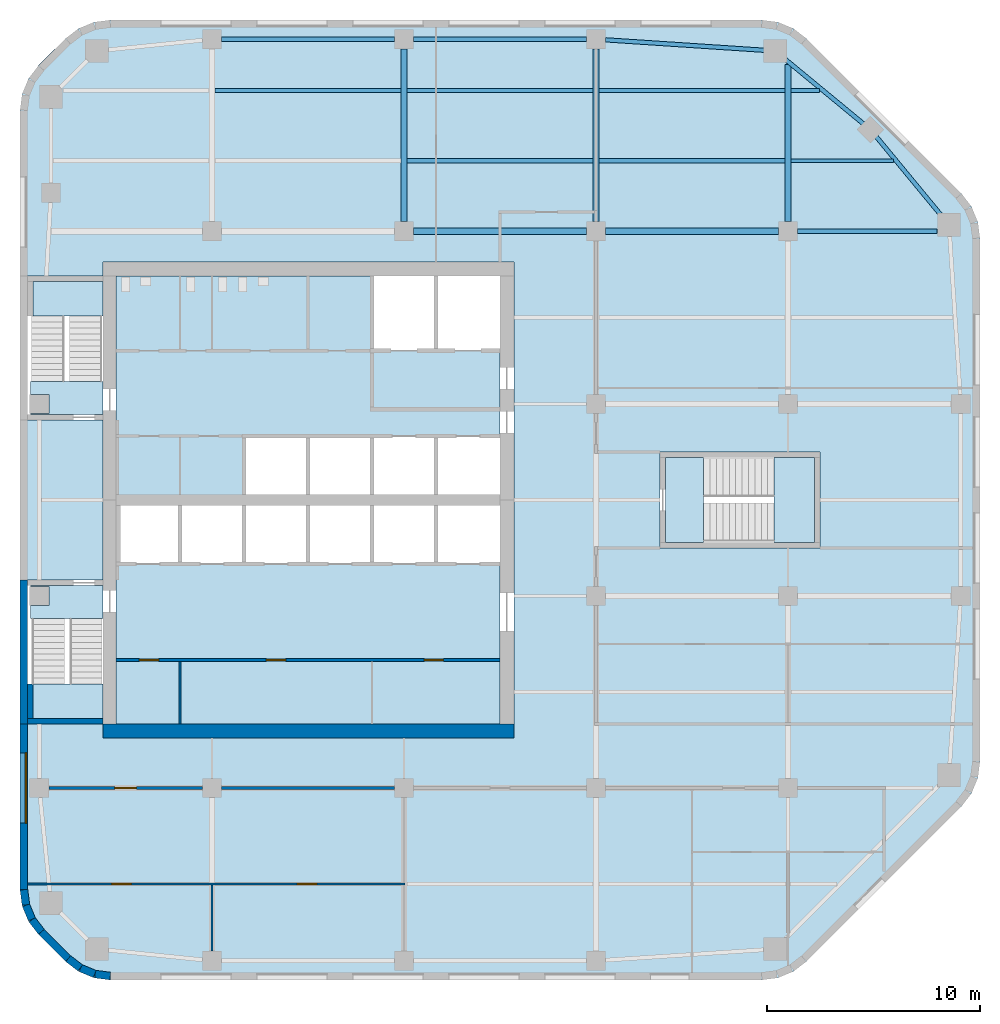
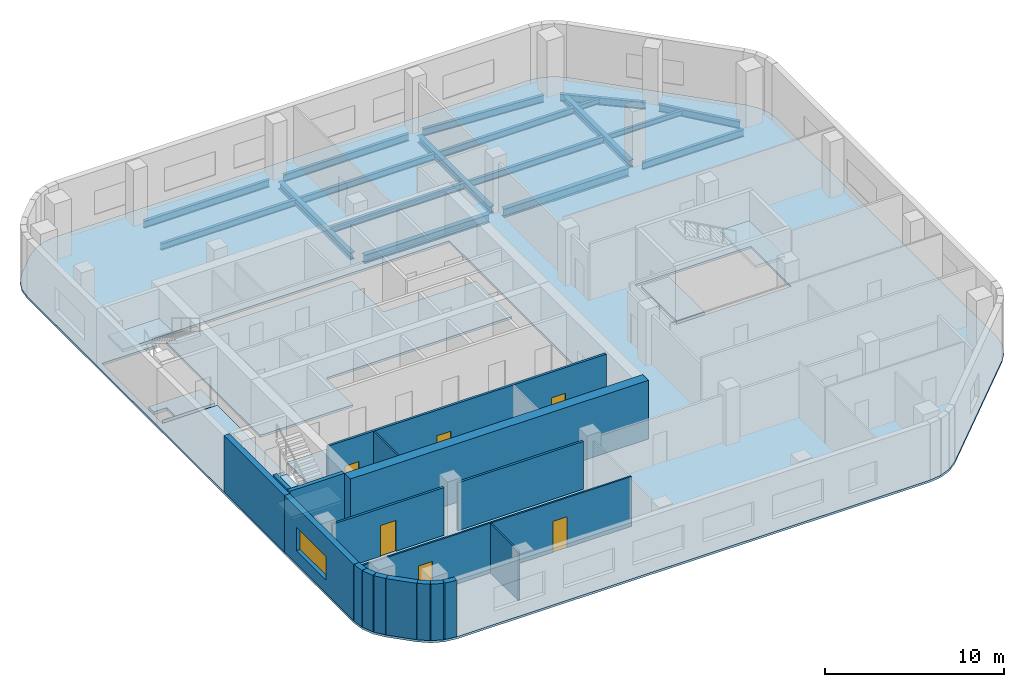
# One storey, part 2 of 7: 18 beams, 18 walls, 9 slabs, 6 doors, 1 window, 7 openings, 3 elements without a shape of their own.
"""IFC4 building model written with IfcOpenShell, lengths in metres."""

from ifc_helpers import new_model, si_unit, direction, frame, frame_2d, origin, origin_2d, place, context, subcontext, project, spatial, polyline, rectangle, i_section, outline, extrude, material, layer, layer_set, material_profile, profile_set, type_object, element, fill, aggregate, save


model = new_model("IFC4")

# Units and contexts
model_context = context("Model", 3, precision=1e-05, world=origin(), true_north=direction((0.0, 1.0)))
body_context = subcontext(model_context, "Body", "Model", "MODEL_VIEW")
ifc_project = project(units=[si_unit("LENGTHUNIT", "METRE"), si_unit("AREAUNIT", "SQUARE_METRE"), si_unit("VOLUMEUNIT", "CUBIC_METRE"), si_unit("PLANEANGLEUNIT", "RADIAN"), si_unit("MASSUNIT", "GRAM", prefix="KILO")], contexts=[model_context])

# Site, building, storey
site_placement = place(None, origin())
site = spatial("IfcSite", under=ifc_project, at=site_placement, CompositionType="ELEMENT")
building_placement = place(site_placement, origin())
building = spatial("IfcBuilding", under=site, at=building_placement, Name="Cinnabar Reach Civic Tower", CompositionType="ELEMENT")
storey_placement = place(building_placement, frame((0.0, 0.0, 169.0)))
storey = spatial("IfcBuildingStorey", under=building, at=storey_placement, Name="L40", CompositionType="ELEMENT", Elevation=169.0)

# Beams
ifc_material_1 = material(Name="Steel Q355B", Category="steel")
ifc_material_profile_1 = material_profile(ifc_material_1, i_section(OverallWidth=0.3, OverallDepth=0.488, WebThickness=0.011, FlangeThickness=0.018, FilletRadius=0.016, at=origin_2d()), Name="HM488x300x11x18")
ifc_profile_set_1 = profile_set([ifc_material_profile_1], Name="Steel Q355B")
beam_type_1 = type_object("IfcBeamType", Name="HM488x300x11x18 beam R 180", PredefinedType="BEAM", material=ifc_profile_set_1)
for number, where, z_axis, x_axis, name in (
    (1, (18.0, 44.552, -0.394), (0.0, 1.0, 0.0), (-1.0, 0.0, 0.0), "Girder T1 L40 6"),
    (2, (27.0, 44.552, -0.394), (0.0, 1.0, 0.0), (-1.0, 0.0, 0.0), "Girder T1 L40 11"),
):
    element("IfcBeam", number, at=place(storey_placement, frame(where, z_axis=z_axis, x_axis=x_axis)), inside=storey, type_object=beam_type_1, Name=name, PredefinedType="BEAM", context=body_context, shape_type="SweptSolid", body=[
        extrude(i_section(OverallWidth=0.3, OverallDepth=0.488, WebThickness=0.011, FlangeThickness=0.018, FilletRadius=0.016, at=origin_2d()), origin(), (0.0, 0.0, 1.0), 8.096),
    ])
beam_1_placement = place(storey_placement, frame((36.0, 44.552, -0.394), z_axis=(0.0, 1.0, 0.0), x_axis=(-1.0, 0.0, 0.0)))
element("IfcBeam", 3, at=beam_1_placement, inside=storey, type_object=beam_type_1, Name="Girder T1 L40 17", PredefinedType="BEAM", context=body_context, shape_type="SweptSolid", body=[
    extrude(i_section(OverallWidth=0.3, OverallDepth=0.488, WebThickness=0.011, FlangeThickness=0.018, FilletRadius=0.016, at=origin_2d()), origin(), (0.0, 0.0, 1.0), 7.3662),
])
ifc_material_profile_2 = material_profile(ifc_material_1, i_section(OverallWidth=0.3, OverallDepth=0.588, WebThickness=0.012, FlangeThickness=0.02, FilletRadius=0.016, at=origin_2d()), Name="HM588x300x12x20")
ifc_profile_set_2 = profile_set([ifc_material_profile_2], Name="Steel Q355B")
beam_type_2 = type_object("IfcBeamType", Name="HM588x300x12x20 beam R 180", PredefinedType="BEAM", material=ifc_profile_set_2)
for number, where, z_axis, x_axis, name in (
    (4, (18.452, 44.1, -0.444), (1.0, 0.0, 0.0), (0.0, 1.0, 0.0), "Girder T1 L40 14"),
    (5, (27.452, 44.1, -0.444), (1.0, 0.0, 0.0), (0.0, 1.0, 0.0), "Girder T1 L40 15"),
):
    element("IfcBeam", number, at=place(storey_placement, frame(where, z_axis=z_axis, x_axis=x_axis)), inside=storey, type_object=beam_type_2, Name=name, PredefinedType="BEAM", context=body_context, shape_type="SweptSolid", body=[
        extrude(i_section(OverallWidth=0.3, OverallDepth=0.588, WebThickness=0.012, FlangeThickness=0.02, FilletRadius=0.016, at=origin_2d()), origin(), (0.0, 0.0, 1.0), 8.096),
    ])
ifc_material_profile_3 = material_profile(ifc_material_1, i_section(OverallWidth=0.175, OverallDepth=0.35, WebThickness=0.007, FlangeThickness=0.011, FilletRadius=0.013, at=origin_2d()), Name="HN350x175x7x11")
ifc_profile_set_3 = profile_set([ifc_material_profile_3], Name="Steel Q355B")
beam_type_3 = type_object("IfcBeamType", Name="HN350x175x7x11 beam R 180", PredefinedType="BEAM", material=ifc_profile_set_3)
beam_2_placement = place(storey_placement, frame((36.152, 47.4, -0.325), z_axis=(1.0, 0.0, 0.0), x_axis=(0.0, 1.0, 0.0)))
element("IfcBeam", 6, at=beam_2_placement, inside=storey, type_object=beam_type_3, Name="Secondary beam T1 L40 20", PredefinedType="BEAM", context=body_context, shape_type="SweptSolid", body=[
    extrude(i_section(OverallWidth=0.175, OverallDepth=0.35, WebThickness=0.007, FlangeThickness=0.011, FilletRadius=0.013, at=origin_2d()), origin(), (0.0, 0.0, 1.0), 4.7866),
])
beam_3_placement = place(storey_placement, frame((36.152, 50.7, -0.325), z_axis=(1.0, 0.0, 0.0), x_axis=(0.0, 1.0, 0.0)))
element("IfcBeam", 7, at=beam_3_placement, inside=storey, type_object=beam_type_3, Name="Secondary beam T1 L40 25", PredefinedType="BEAM", context=body_context, shape_type="SweptSolid", body=[
    extrude(i_section(OverallWidth=0.175, OverallDepth=0.35, WebThickness=0.007, FlangeThickness=0.011, FilletRadius=0.013, at=origin_2d()), origin(), (0.0, 0.0, 1.0), 1.3249),
])
ifc_material_profile_4 = material_profile(ifc_material_1, i_section(OverallWidth=0.2, OverallDepth=0.45, WebThickness=0.009, FlangeThickness=0.014, FilletRadius=0.016, at=origin_2d()), Name="HN450x200x9x14")
ifc_profile_set_4 = profile_set([ifc_material_profile_4], Name="Steel Q355B")
beam_type_4 = type_object("IfcBeamType", Name="HN450x200x9x14 beam R 180", PredefinedType="BEAM", material=ifc_profile_set_4)
for number, where, z_axis, x_axis, name in (
    (8, (18.152, 47.4, -0.375), (1.0, 0.0, 0.0), (0.0, 1.0, 0.0), "Secondary beam T1 L40 18"),
    (9, (27.152, 47.4, -0.375), (1.0, 0.0, 0.0), (0.0, 1.0, 0.0), "Secondary beam T1 L40 19"),
    (10, (9.152, 50.7, -0.375), (1.0, 0.0, 0.0), (0.0, 1.0, 0.0), "Secondary beam T1 L40 22"),
    (11, (18.152, 50.7, -0.375), (1.0, 0.0, 0.0), (0.0, 1.0, 0.0), "Secondary beam T1 L40 23"),
    (12, (27.152, 50.7, -0.375), (1.0, 0.0, 0.0), (0.0, 1.0, 0.0), "Secondary beam T1 L40 24"),
):
    element("IfcBeam", number, at=place(storey_placement, frame(where, z_axis=z_axis, x_axis=x_axis)), inside=storey, type_object=beam_type_4, Name=name, PredefinedType="BEAM", context=body_context, shape_type="SweptSolid", body=[
        extrude(i_section(OverallWidth=0.2, OverallDepth=0.45, WebThickness=0.009, FlangeThickness=0.014, FilletRadius=0.016, at=origin_2d()), origin(), (0.0, 0.0, 1.0), 8.696),
    ])
ifc_material_profile_5 = material_profile(ifc_material_1, i_section(OverallWidth=0.2, OverallDepth=0.5, WebThickness=0.01, FlangeThickness=0.016, FilletRadius=0.016, at=origin_2d()), Name="HN500x200x10x16")
ifc_profile_set_5 = profile_set([ifc_material_profile_5], Name="Steel Q355B")
beam_type_5 = type_object("IfcBeamType", Name="HN500x200x10x16 beam R 180", PredefinedType="BEAM", material=ifc_profile_set_5)
for number, where, z_axis, x_axis, name in (
    (13, (43.1906, 44.8301, -0.4), (-0.63630880182, 0.771434448755, 0.0), (-0.771434448755, -0.63630880182, 0.0), "Edge beam T1 L40 9"),
    (14, (39.5598, 49.1142, -0.4), (-0.771434448755, 0.63630880182, 0.0), (-0.63630880182, -0.771434448755, 0.0), "Edge beam T1 L40 10"),
):
    element("IfcBeam", number, at=place(storey_placement, frame(where, z_axis=z_axis, x_axis=x_axis)), inside=storey, type_object=beam_type_5, Name=name, PredefinedType="BEAM", context=body_context, shape_type="SweptSolid", body=[
        extrude(i_section(OverallWidth=0.2, OverallDepth=0.5, WebThickness=0.01, FlangeThickness=0.016, FilletRadius=0.016, at=origin_2d()), origin(), (0.0, 0.0, 1.0), 4.8348),
    ])
beam_4_placement = place(storey_placement, frame((34.9661, 52.5754, -0.4), z_axis=(-0.99783894477, 0.065707231721, 0.0), x_axis=(-0.065707231721, -0.99783894477, 0.0)))
element("IfcBeam", 15, at=beam_4_placement, inside=storey, type_object=beam_type_5, Name="Edge beam T1 L40 11", PredefinedType="BEAM", context=body_context, shape_type="SweptSolid", body=[
    extrude(i_section(OverallWidth=0.2, OverallDepth=0.5, WebThickness=0.01, FlangeThickness=0.016, FilletRadius=0.016, at=origin_2d()), origin(), (0.0, 0.0, 1.0), 7.5304),
])
for number, where, z_axis, x_axis, name in (
    (16, (26.548, 53.1, -0.4), (-1.0, 0.0, 0.0), (0.0, -1.0, 0.0), "Edge beam T1 L40 12"),
    (17, (17.548, 53.1, -0.4), (-1.0, 0.0, 0.0), (0.0, -1.0, 0.0), "Edge beam T1 L40 13"),
):
    element("IfcBeam", number, at=place(storey_placement, frame(where, z_axis=z_axis, x_axis=x_axis)), inside=storey, type_object=beam_type_5, Name=name, PredefinedType="BEAM", context=body_context, shape_type="SweptSolid", body=[
        extrude(i_section(OverallWidth=0.2, OverallDepth=0.5, WebThickness=0.01, FlangeThickness=0.016, FilletRadius=0.016, at=origin_2d()), origin(), (0.0, 0.0, 1.0), 8.096),
    ])
beam_5_placement = place(storey_placement, frame((36.452, 44.1, -0.4), z_axis=(1.0, 0.0, 0.0), x_axis=(0.0, 1.0, 0.0)))
element("IfcBeam", 18, at=beam_5_placement, inside=storey, type_object=beam_type_5, Name="Girder T1 L40 16", PredefinedType="BEAM", context=body_context, shape_type="SweptSolid", body=[
    extrude(i_section(OverallWidth=0.2, OverallDepth=0.5, WebThickness=0.01, FlangeThickness=0.016, FilletRadius=0.016, at=origin_2d()), origin(), (0.0, 0.0, 1.0), 6.5429),
])

# Slab
ifc_material_2 = material(Name="Concrete C40", Category="concrete")
ifc_layer_1 = layer(ifc_material_2, 0.15)
ifc_layer_set_1 = layer_set([ifc_layer_1], Name="Composite floor slab 150 REI 150")
slab_type_1 = type_object("IfcSlabType", Name="Composite floor slab 150 REI 150", PredefinedType="FLOOR", material=ifc_layer_set_1)
slab_1_placement = place(storey_placement, frame((0.0, 0.0, -0.15)))
element("IfcSlab", 19, at=slab_1_placement, inside=storey, type_object=slab_type_1, Name="Composite floor slab 150 T1 L40", PredefinedType="FLOOR", context=body_context, shape_type="SweptSolid", body=[
    extrude(outline(polyline([(0.8787, 11.1213), (0.4019, 11.7426), (0.1022, 12.4662), (0.0, 13.2426), (0.0, 49.7574), (0.1022, 50.5338), (0.4019, 51.2574), (0.8787, 51.8787), (2.1213, 53.1213), (2.7426, 53.5981), (3.4662, 53.8978), (4.2426, 54.0), (34.7574, 54.0), (35.5338, 53.8978), (36.2574, 53.5981), (36.8787, 53.1213), (44.1213, 45.8787), (44.5981, 45.2574), (44.8978, 44.5338), (45.0, 43.7574), (45.0, 19.2426), (44.8978, 18.4662), (44.5981, 17.7426), (44.1213, 17.1213), (36.8787, 9.8787), (36.2574, 9.4019), (35.5338, 9.1022), (34.7574, 9.0), (4.2426, 9.0), (3.4662, 9.1022), (2.7426, 9.4019), (2.1213, 9.8787), (0.8787, 11.1213)]), holes=[polyline([(0.36, 21.0), (3.9, 21.0), (3.9, 20.35), (23.15, 20.35), (23.15, 42.65), (3.9, 42.65), (3.9, 42.0), (0.36, 42.0), (0.36, 35.25), (3.9, 35.25), (3.9, 27.75), (0.36, 27.75), (0.36, 21.0)]), polyline([(30.0, 33.75), (30.0, 29.25), (37.5, 29.25), (37.5, 33.75), (30.0, 33.75)])]), origin(), (0.0, 0.0, 1.0), 0.15),
])

# Stair, slabs
ifc_material_3 = material(Name="Concrete C40/50", Category="concrete")
stair_type = type_object("IfcStairType", Name="T1 Exit stair, half-turn", PredefinedType="HALF_TURN_STAIR", material=ifc_material_3)
stair_1_placement = place(storey_placement, origin())
stair_1 = element("IfcStair", 20, at=stair_1_placement, inside=storey, type_object=stair_type, Name="Stair T1-S1", PredefinedType="HALF_TURN_STAIR")
ifc_layer_2 = layer(ifc_material_3, 0.2)
ifc_layer_set_2 = layer_set([ifc_layer_2], Name="T1 Stair landing 200, Concrete C40/50")
slab_type_2 = type_object("IfcSlabType", Name="T1 Stair landing 200, Concrete C40/50", PredefinedType="LANDING", material=ifc_layer_set_2)
slab_2_placement = place(storey_placement, frame((0.0, 0.0, -0.2)))
slab_2 = element("IfcSlab", 21, at=slab_2_placement, type_object=slab_type_2, Name="T1-S1 landing 1", PredefinedType="LANDING", context=body_context, shape_type="SweptSolid", body=[
    extrude(outline(polyline([(0.5, 27.5), (3.9, 27.5), (3.9, 25.95), (0.5, 25.95), (0.5, 26.55), (1.35, 26.55), (1.35, 27.45), (0.5, 27.45), (0.5, 27.5)])), origin(), (0.0, 0.0, 1.0), 0.2),
])
slab_3_placement = place(storey_placement, frame((0.0, 0.0, 1.8)))
slab_3 = element("IfcSlab", 22, at=slab_3_placement, type_object=slab_type_2, Name="T1-S1 landing 2", PredefinedType="LANDING", context=body_context, shape_type="SweptSolid", body=[
    extrude(outline(polyline([(0.6, 21.25), (0.6, 22.87), (3.9, 22.87), (3.9, 21.25), (0.6, 21.25)])), origin(), (0.0, 0.0, 1.0), 0.2),
])
aggregate(stair_1, [slab_2, slab_3])

stair_2_placement = place(storey_placement, origin())
stair_2 = element("IfcStair", 23, at=stair_2_placement, inside=storey, type_object=stair_type, Name="Stair T1-S2", PredefinedType="HALF_TURN_STAIR")
slab_4_placement = place(storey_placement, frame((0.0, 0.0, -0.2)))
slab_4 = element("IfcSlab", 24, at=slab_4_placement, type_object=slab_type_2, Name="T1-S2 landing 1", PredefinedType="LANDING", context=body_context, shape_type="SweptSolid", body=[
    extrude(outline(polyline([(0.5, 37.05), (3.9, 37.05), (3.9, 35.5), (0.5, 35.5), (0.5, 35.55), (1.35, 35.55), (1.35, 36.45), (0.5, 36.45), (0.5, 37.05)])), origin(), (0.0, 0.0, 1.0), 0.2),
])
slab_5_placement = place(storey_placement, frame((0.0, 0.0, 1.8)))
slab_5 = element("IfcSlab", 25, at=slab_5_placement, type_object=slab_type_2, Name="T1-S2 landing 2", PredefinedType="LANDING", context=body_context, shape_type="SweptSolid", body=[
    extrude(outline(polyline([(0.6, 40.13), (0.6, 41.75), (3.9, 41.75), (3.9, 40.13), (0.6, 40.13)])), origin(), (0.0, 0.0, 1.0), 0.2),
])
aggregate(stair_2, [slab_4, slab_5])

stair_3_placement = place(storey_placement, origin())
stair_3 = element("IfcStair", 26, at=stair_3_placement, inside=storey, type_object=stair_type, Name="Stair T1-S3", PredefinedType="HALF_TURN_STAIR")
slab_6_placement = place(storey_placement, frame((0.0, 0.0, -0.2)))
slab_6 = element("IfcSlab", 27, at=slab_6_placement, type_object=slab_type_2, Name="T1-S3 landing 1", PredefinedType="LANDING", context=body_context, shape_type="SweptSolid", body=[
    extrude(outline(polyline([(30.25, 29.5), (32.05, 29.5), (32.05, 33.5), (30.25, 33.5), (30.25, 29.5)])), origin(), (0.0, 0.0, 1.0), 0.2),
])
slab_7_placement = place(storey_placement, frame((0.0, 0.0, 1.8)))
slab_7 = element("IfcSlab", 28, at=slab_7_placement, type_object=slab_type_2, Name="T1-S3 landing 2", PredefinedType="LANDING", context=body_context, shape_type="SweptSolid", body=[
    extrude(outline(polyline([(35.35, 29.5), (37.25, 29.5), (37.25, 33.5), (35.35, 33.5), (35.35, 29.5)])), origin(), (0.0, 0.0, 1.0), 0.2),
])
aggregate(stair_3, [slab_6, slab_7])

# Slabs
ifc_layer_3 = layer(ifc_material_3, 0.15)
ifc_layer_set_3 = layer_set([ifc_layer_3], Name="T1 core floor slab 150")
slab_type_3 = type_object("IfcSlabType", Name="T1 core floor slab 150", PredefinedType="FLOOR", material=ifc_layer_set_3)
slab_8_placement = place(storey_placement, frame((0.0, 0.0, -0.15)))
element("IfcSlab", 29, at=slab_8_placement, inside=storey, type_object=slab_type_3, Name="Core floor slab L40", PredefinedType="FLOOR", context=body_context, shape_type="SweptSolid", body=[
    extrude(outline(polyline([(22.5, 21.0), (4.5, 21.0), (4.5, 28.5), (7.5, 28.5), (10.5, 28.5), (13.5, 28.5), (16.5, 28.5), (19.5, 28.5), (22.5, 28.5), (22.5, 21.0)])), origin(), (0.0, 0.0, 1.0), 0.15),
])
slab_9_placement = place(storey_placement, frame((0.0, 0.0, -0.15)))
element("IfcSlab", 30, at=slab_9_placement, inside=storey, type_object=slab_type_3, Name="Core floor slab L40", PredefinedType="FLOOR", context=body_context, shape_type="SweptSolid", body=[
    extrude(outline(polyline([(22.5, 34.5), (19.5, 34.5), (16.5, 34.5), (13.5, 34.5), (10.5, 34.5), (10.5, 31.5), (7.5, 31.5), (4.5, 31.5), (4.5, 42.0), (16.5, 42.0), (16.5, 38.5), (19.5, 38.5), (22.5, 38.5), (22.5, 34.5)])), origin(), (0.0, 0.0, 1.0), 0.15),
])

# Walls
ifc_material_4 = material(Name="Facing brick with insulated backing", Category="masonry")
ifc_layer_4 = layer(ifc_material_4, 0.36)
ifc_layer_set_4 = layer_set([ifc_layer_4], Name="Brick corner wall")
wall_type_1 = type_object("IfcWallType", Name="Brick corner wall", PredefinedType="STANDARD", material=ifc_layer_set_4)
for number, where, z_axis, x_axis, name in (
    (31, (0.183, 13.2314, 0.0), (0.0, 0.0, 1.0), (0.13055608231, -0.99144092581, 0.0), "Brick corner wall"),
    (32, (0.2819, 12.5027, 0.0), (0.0, 0.0, 1.0), (0.382702709855, -0.923871547278, 0.0), "Brick corner wall"),
):
    element("IfcWall", number, at=place(storey_placement, frame(where, z_axis=z_axis, x_axis=x_axis)), inside=storey, type_object=wall_type_1, Name=name, PredefinedType="STANDARD", context=body_context, shape_type="SweptSolid", body=[
        extrude(rectangle(XDim=0.7131, YDim=0.36, at=frame_2d((0.3565, 0.0))), origin(), (0.0, 0.0, 1.0), 3.85),
    ])
for number, where, z_axis, x_axis, name in (
    (33, (0.566, 11.8245, 0.0), (0.0, 0.0, 1.0), (0.608802368033, -0.793321924995, 0.0), "Brick corner wall"),
    (34, (2.2587, 10.0002, 0.0), (0.0, 0.0, 1.0), (0.793321924995, -0.608802368033, 0.0), "Brick corner wall"),
):
    element("IfcWall", number, at=place(storey_placement, frame(where, z_axis=z_axis, x_axis=x_axis)), inside=storey, type_object=wall_type_1, Name=name, PredefinedType="STANDARD", context=body_context, shape_type="SweptSolid", body=[
        extrude(rectangle(XDim=0.7132, YDim=0.36, at=frame_2d((0.3566, 0.0))), origin(), (0.0, 0.0, 1.0), 3.85),
    ])
for number, where, z_axis, x_axis, name in (
    (35, (2.8439, 9.5548, 0.0), (0.0, 0.0, 1.0), (0.923871547278, -0.382702709855, 0.0), "Brick corner wall"),
    (36, (3.5244, 9.2761, 0.0), (0.0, 0.0, 1.0), (0.99144092581, -0.13055608231, 0.0), "Brick corner wall"),
):
    element("IfcWall", number, at=place(storey_placement, frame(where, z_axis=z_axis, x_axis=x_axis)), inside=storey, type_object=wall_type_1, Name=name, PredefinedType="STANDARD", context=body_context, shape_type="SweptSolid", body=[
        extrude(rectangle(XDim=0.7131, YDim=0.36, at=frame_2d((0.3565, 0.0))), origin(), (0.0, 0.0, 1.0), 3.85),
    ])
ifc_layer_5 = layer(ifc_material_4, 0.36)
ifc_layer_set_5 = layer_set([ifc_layer_5], Name="Brick pier and spandrel wall")
wall_type_2 = type_object("IfcWallType", Name="Brick pier and spandrel wall", PredefinedType="STANDARD", material=ifc_layer_set_5)
wall_1_placement = place(storey_placement, frame((0.18, 27.75, 0.0), z_axis=(0.0, 0.0, 1.0), x_axis=(0.0, -1.0, 0.0)))
element("IfcWall", 37, at=wall_1_placement, inside=storey, type_object=wall_type_2, Name="Brick facade wall", PredefinedType="STANDARD", context=body_context, shape_type="SweptSolid", body=[
    extrude(rectangle(XDim=6.75, YDim=0.36, at=frame_2d((3.375, 0.0))), origin(), (0.0, 0.0, 1.0), 3.85),
])

# Wall, opening, window
wall_2_placement = place(storey_placement, frame((0.18, 21.0, 0.0), z_axis=(0.0, 0.0, 1.0), x_axis=(0.0, -1.0, 0.0)))
wall_2 = element("IfcWall", 38, at=wall_2_placement, inside=storey, type_object=wall_type_2, Name="Brick facade wall", PredefinedType="STANDARD", context=body_context, shape_type="SweptSolid", body=[
    extrude(rectangle(XDim=7.7574, YDim=0.36, at=frame_2d((3.8787, 0.0))), origin(), (0.0, 0.0, 1.0), 3.85),
])
opening_1_placement = place(wall_2_placement, frame((1.35, 0.0, 0.9)))
opening_1 = element("IfcOpeningElement", 39, at=opening_1_placement, cuts=wall_2, Name="Opening W1840", PredefinedType="OPENING", context=body_context, shape_type="SweptSolid", body=[
    extrude(rectangle(XDim=3.3, YDim=1.6, at=frame_2d((1.65, 0.8))), frame((0.0, 0.19, 0.0), z_axis=(0.0, -1.0, 0.0), x_axis=(1.0, 0.0, 0.0)), (0.0, 0.0, 1.0), 0.38),
])
ifc_material_5 = material(Name="Clear double glazing in aluminium frame", Category="aluminium")
window_type = type_object("IfcWindowType", Name="Deep-set window A", PartitioningType="SINGLE_PANEL", PredefinedType="WINDOW", material=ifc_material_5)
window_placement = place(opening_1_placement, origin())
window = element("IfcWindow", 40, at=window_placement, inside=storey, type_object=window_type, Name="Window west face", OverallHeight=1.6, OverallWidth=3.3, PartitioningType="SINGLE_PANEL", PredefinedType="WINDOW", context=body_context, shape_type="SweptSolid", body=[
    extrude(rectangle(XDim=3.3, YDim=1.6, at=frame_2d((1.65, 0.8))), frame((0.0, 0.13, 0.0), z_axis=(0.0, -1.0, 0.0), x_axis=(1.0, 0.0, 0.0)), (0.0, 0.0, 1.0), 0.06),
])
fill(opening_1, window)

# Walls
wall_3_placement = place(storey_placement, frame((1.006, 11.2486, 0.0), z_axis=(0.0, 0.0, 1.0), x_axis=(0.707106781187, -0.707106781187, 0.0)))
element("IfcWall", 41, at=wall_3_placement, inside=storey, type_object=wall_type_2, Name="Brick facade wall", PredefinedType="STANDARD", context=body_context, shape_type="SweptSolid", body=[
    extrude(rectangle(XDim=1.7573, YDim=0.36, at=frame_2d((0.8787, 0.0))), origin(), (0.0, 0.0, 1.0), 3.85),
])
ifc_material_6 = material(Name="Concrete C70", Category="concrete")
ifc_layer_6 = layer(ifc_material_6, 0.65)
ifc_layer_set_6 = layer_set([ifc_layer_6], Name="Core wall 650 EI 180")
wall_type_3 = type_object("IfcWallType", Name="Core wall 650 EI 180", PredefinedType="SOLIDWALL", material=ifc_layer_set_6)
wall_4_placement = place(storey_placement, frame((3.9, 20.675, 0.0), z_axis=(0.0, 0.0, 1.0), x_axis=(1.0, 0.0, 0.0)))
element("IfcWall", 42, at=wall_4_placement, inside=storey, type_object=wall_type_3, Name="Core wall T1 L40 S", PredefinedType="SOLIDWALL", context=body_context, shape_type="SweptSolid", body=[
    extrude(rectangle(XDim=19.25, YDim=0.65, at=frame_2d((9.625, 0.0))), origin(), (0.0, 0.0, 1.0), 4.0),
])

# Wall, opening, door
ifc_material_7 = material(Name="Gypsum board on steel studs, double layer", Category="steel")
ifc_layer_7 = layer(ifc_material_7, 0.15)
ifc_layer_set_7 = layer_set([ifc_layer_7], Name="Corridor wall 150 T1")
wall_type_4 = type_object("IfcWallType", Name="Corridor wall 150 T1", PredefinedType="PARTITIONING", material=ifc_layer_set_7)
wall_5_placement = place(storey_placement, frame((1.35, 18.0, 0.0), z_axis=(0.0, 0.0, 1.0), x_axis=(1.0, 0.0, 0.0)))
wall_5 = element("IfcWall", 43, at=wall_5_placement, inside=storey, type_object=wall_type_4, Name="Corridor wall 18", PredefinedType="PARTITIONING", context=body_context, shape_type="SweptSolid", body=[
    extrude(rectangle(XDim=7.2, YDim=0.15, at=frame_2d((3.6, 0.0))), origin(), (0.0, 0.0, 1.0), 3.262),
])
opening_2_placement = place(wall_5_placement, frame((3.1, 0.0, 0.0)))
opening_2 = element("IfcOpeningElement", 44, at=opening_2_placement, cuts=wall_5, Name="Opening D4658", PredefinedType="OPENING", context=body_context, shape_type="SweptSolid", body=[
    extrude(rectangle(XDim=1.0, YDim=2.1, at=frame_2d((0.5, 1.05))), frame((0.0, 0.085, 0.0), z_axis=(0.0, -1.0, 0.0), x_axis=(1.0, 0.0, 0.0)), (0.0, 0.0, 1.0), 0.17),
])
ifc_material_8 = material(Name="Timber door leaf in steel frame", Category="steel")
door_type_1 = type_object("IfcDoorType", Name="Tenancy entrance door 1000 x 2100 T1", OperationType="SINGLE_SWING_LEFT", PredefinedType="DOOR", material=ifc_material_8)
door_1_placement = place(opening_2_placement, frame((1.0, 0.0, 0.0), z_axis=(0.0, 0.0, 1.0), x_axis=(-1.0, 0.0, 0.0)))
door_1 = element("IfcDoor", 45, at=door_1_placement, inside=storey, type_object=door_type_1, Name="Door D4658", OperationType="SINGLE_SWING_LEFT", OverallHeight=2.1, OverallWidth=1.0, PredefinedType="DOOR", context=body_context, shape_type="SweptSolid", body=[
    extrude(rectangle(XDim=1.0, YDim=2.1, at=frame_2d((0.5, 1.05))), frame((0.0, 0.025, 0.0), z_axis=(0.0, -1.0, 0.0), x_axis=(1.0, 0.0, 0.0)), (0.0, 0.0, 1.0), 0.05),
])
fill(opening_2, door_1)

# Wall
wall_6_placement = place(storey_placement, frame((9.45, 18.0, 0.0), z_axis=(0.0, 0.0, 1.0), x_axis=(1.0, 0.0, 0.0)))
element("IfcWall", 46, at=wall_6_placement, inside=storey, type_object=wall_type_4, Name="Corridor wall 19", PredefinedType="PARTITIONING", context=body_context, shape_type="SweptSolid", body=[
    extrude(rectangle(XDim=8.1, YDim=0.15, at=frame_2d((4.05, 0.0))), origin(), (0.0, 0.0, 1.0), 3.262),
])

# Wall, openings, doors
wall_7_placement = place(storey_placement, frame((4.5, 24.0, 0.0), z_axis=(0.0, 0.0, 1.0), x_axis=(1.0, 0.0, 0.0)))
wall_7 = element("IfcWall", 47, at=wall_7_placement, inside=storey, type_object=wall_type_4, Name="Corridor wall 23", PredefinedType="PARTITIONING", context=body_context, shape_type="SweptSolid", body=[
    extrude(rectangle(XDim=18.0, YDim=0.15, at=frame_2d((9.0, 0.0))), origin(), (0.0, 0.0, 1.0), 3.85),
])
opening_3_placement = place(wall_7_placement, frame((1.1, 0.0, 0.0)))
opening_3 = element("IfcOpeningElement", 48, at=opening_3_placement, cuts=wall_7, Name="Opening D4644", PredefinedType="OPENING", context=body_context, shape_type="SweptSolid", body=[
    extrude(rectangle(XDim=0.9, YDim=2.1, at=frame_2d((0.45, 1.05))), frame((0.0, 0.085, 0.0), z_axis=(0.0, -1.0, 0.0), x_axis=(1.0, 0.0, 0.0)), (0.0, 0.0, 1.0), 0.17),
])
opening_4_placement = place(wall_7_placement, frame((7.05, 0.0, 0.0)))
opening_4 = element("IfcOpeningElement", 49, at=opening_4_placement, cuts=wall_7, Name="Opening D4645", PredefinedType="OPENING", context=body_context, shape_type="SweptSolid", body=[
    extrude(rectangle(XDim=0.9, YDim=2.1, at=frame_2d((0.45, 1.05))), frame((0.0, 0.085, 0.0), z_axis=(0.0, -1.0, 0.0), x_axis=(1.0, 0.0, 0.0)), (0.0, 0.0, 1.0), 0.17),
])
opening_5_placement = place(wall_7_placement, frame((14.45, 0.0, 0.0)))
opening_5 = element("IfcOpeningElement", 50, at=opening_5_placement, cuts=wall_7, Name="Opening D4646", PredefinedType="OPENING", context=body_context, shape_type="SweptSolid", body=[
    extrude(rectangle(XDim=0.9, YDim=2.1, at=frame_2d((0.45, 1.05))), frame((0.0, 0.085, 0.0), z_axis=(0.0, -1.0, 0.0), x_axis=(1.0, 0.0, 0.0)), (0.0, 0.0, 1.0), 0.17),
])
door_type_2 = type_object("IfcDoorType", Name="Single swing door 900 x 2100 corridor T1", OperationType="SINGLE_SWING_LEFT", PredefinedType="DOOR", material=ifc_material_8)
door_2_placement = place(opening_3_placement, frame((0.9, 0.0, 0.0), z_axis=(0.0, 0.0, 1.0), x_axis=(-1.0, 0.0, 0.0)))
door_2 = element("IfcDoor", 51, at=door_2_placement, inside=storey, type_object=door_type_2, Name="Door D4644", OperationType="SINGLE_SWING_RIGHT", OverallHeight=2.1, OverallWidth=0.9, PredefinedType="DOOR", context=body_context, shape_type="SweptSolid", body=[
    extrude(rectangle(XDim=0.9, YDim=2.1, at=frame_2d((0.45, 1.05))), frame((0.0, 0.025, 0.0), z_axis=(0.0, -1.0, 0.0), x_axis=(1.0, 0.0, 0.0)), (0.0, 0.0, 1.0), 0.05),
])
fill(opening_3, door_2)
door_3_placement = place(opening_4_placement, frame((0.9, 0.0, 0.0), z_axis=(0.0, 0.0, 1.0), x_axis=(-1.0, 0.0, 0.0)))
door_3 = element("IfcDoor", 52, at=door_3_placement, inside=storey, type_object=door_type_2, Name="Door D4645", OperationType="SINGLE_SWING_LEFT", OverallHeight=2.1, OverallWidth=0.9, PredefinedType="DOOR", context=body_context, shape_type="SweptSolid", body=[
    extrude(rectangle(XDim=0.9, YDim=2.1, at=frame_2d((0.45, 1.05))), frame((0.0, 0.025, 0.0), z_axis=(0.0, -1.0, 0.0), x_axis=(1.0, 0.0, 0.0)), (0.0, 0.0, 1.0), 0.05),
])
fill(opening_4, door_3)
door_4_placement = place(opening_5_placement, frame((0.9, 0.0, 0.0), z_axis=(0.0, 0.0, 1.0), x_axis=(-1.0, 0.0, 0.0)))
door_4 = element("IfcDoor", 53, at=door_4_placement, inside=storey, type_object=door_type_2, Name="Door D4646", OperationType="SINGLE_SWING_RIGHT", OverallHeight=2.1, OverallWidth=0.9, PredefinedType="DOOR", context=body_context, shape_type="SweptSolid", body=[
    extrude(rectangle(XDim=0.9, YDim=2.1, at=frame_2d((0.45, 1.05))), frame((0.0, 0.025, 0.0), z_axis=(0.0, -1.0, 0.0), x_axis=(1.0, 0.0, 0.0)), (0.0, 0.0, 1.0), 0.05),
])
fill(opening_5, door_4)

ifc_material_9 = material(Name="Gypsum board on steel studs", Category="steel")
ifc_layer_8 = layer(ifc_material_9, 0.1)
ifc_layer_set_8 = layer_set([ifc_layer_8], Name="Partition wall 100 T1")
wall_type_5 = type_object("IfcWallType", Name="Partition wall 100 T1", PredefinedType="PARTITIONING", material=ifc_layer_set_8)
wall_8_placement = place(storey_placement, frame((0.36, 13.5, 0.0), z_axis=(0.0, 0.0, 1.0), x_axis=(1.0, 0.0, 0.0)))
wall_8 = element("IfcWall", 54, at=wall_8_placement, inside=storey, type_object=wall_type_5, Name="Partition wall 43", PredefinedType="PARTITIONING", context=body_context, shape_type="SweptSolid", body=[
    extrude(rectangle(XDim=17.69, YDim=0.1, at=frame_2d((8.845, 0.0))), origin(), (0.0, 0.0, 1.0), 3.4),
])
opening_6_placement = place(wall_8_placement, frame((3.95, 0.0, 0.0)))
opening_6 = element("IfcOpeningElement", 55, at=opening_6_placement, cuts=wall_8, Name="Opening D4659", PredefinedType="OPENING", context=body_context, shape_type="SweptSolid", body=[
    extrude(rectangle(XDim=0.9, YDim=2.1, at=frame_2d((0.45, 1.05))), frame((0.0, 0.06, 0.0), z_axis=(0.0, -1.0, 0.0), x_axis=(1.0, 0.0, 0.0)), (0.0, 0.0, 1.0), 0.12),
])
opening_7_placement = place(wall_8_placement, frame((12.64, 0.0, 0.0)))
opening_7 = element("IfcOpeningElement", 56, at=opening_7_placement, cuts=wall_8, Name="Opening D4660", PredefinedType="OPENING", context=body_context, shape_type="SweptSolid", body=[
    extrude(rectangle(XDim=0.9, YDim=2.1, at=frame_2d((0.45, 1.05))), frame((0.0, 0.06, 0.0), z_axis=(0.0, -1.0, 0.0), x_axis=(1.0, 0.0, 0.0)), (0.0, 0.0, 1.0), 0.12),
])
door_type_3 = type_object("IfcDoorType", Name="Single swing door 900 x 2100 T1", OperationType="SINGLE_SWING_LEFT", PredefinedType="DOOR", material=ifc_material_8)
door_5_placement = place(opening_6_placement, frame((0.9, 0.0, 0.0), z_axis=(0.0, 0.0, 1.0), x_axis=(-1.0, 0.0, 0.0)))
door_5 = element("IfcDoor", 57, at=door_5_placement, inside=storey, type_object=door_type_3, Name="Door D4659", OperationType="SINGLE_SWING_RIGHT", OverallHeight=2.1, OverallWidth=0.9, PredefinedType="DOOR", context=body_context, shape_type="SweptSolid", body=[
    extrude(rectangle(XDim=0.9, YDim=2.1, at=frame_2d((0.45, 1.05))), frame((0.0, 0.025, 0.0), z_axis=(0.0, -1.0, 0.0), x_axis=(1.0, 0.0, 0.0)), (0.0, 0.0, 1.0), 0.05),
])
fill(opening_6, door_5)
door_6_placement = place(opening_7_placement, frame((0.9, 0.0, 0.0), z_axis=(0.0, 0.0, 1.0), x_axis=(-1.0, 0.0, 0.0)))
door_6 = element("IfcDoor", 58, at=door_6_placement, inside=storey, type_object=door_type_3, Name="Door D4660", OperationType="SINGLE_SWING_RIGHT", OverallHeight=2.1, OverallWidth=0.9, PredefinedType="DOOR", context=body_context, shape_type="SweptSolid", body=[
    extrude(rectangle(XDim=0.9, YDim=2.1, at=frame_2d((0.45, 1.05))), frame((0.0, 0.025, 0.0), z_axis=(0.0, -1.0, 0.0), x_axis=(1.0, 0.0, 0.0)), (0.0, 0.0, 1.0), 0.05),
])
fill(opening_7, door_6)

# Walls
wall_9_placement = place(storey_placement, frame((9.0, 10.35, 0.0), z_axis=(0.0, 0.0, 1.0), x_axis=(0.0, 1.0, 0.0)))
element("IfcWall", 59, at=wall_9_placement, inside=storey, type_object=wall_type_5, Name="Partition wall 53", PredefinedType="PARTITIONING", context=body_context, shape_type="SweptSolid", body=[
    extrude(rectangle(XDim=3.1, YDim=0.1, at=frame_2d((1.55, 0.0))), origin(), (0.0, 0.0, 1.0), 3.362),
])
wall_10_placement = place(storey_placement, frame((7.5, 21.0, 0.0), z_axis=(0.0, 0.0, 1.0), x_axis=(0.0, 1.0, 0.0)))
element("IfcWall", 60, at=wall_10_placement, inside=storey, type_object=wall_type_5, Name="Partition wall 57", PredefinedType="PARTITIONING", context=body_context, shape_type="SweptSolid", body=[
    extrude(rectangle(XDim=2.925, YDim=0.1, at=frame_2d((1.4625, 0.0))), origin(), (0.0, 0.0, 1.0), 3.85),
])
ifc_material_10 = material(Name="Concrete C60", Category="concrete")
ifc_layer_9 = layer(ifc_material_10, 0.25)
ifc_layer_set_9 = layer_set([ifc_layer_9], Name="Stair shaft wall 250 EI 120")
wall_type_6 = type_object("IfcWallType", Name="Stair shaft wall 250 EI 120", PredefinedType="SOLIDWALL", material=ifc_layer_set_9)
wall_11_placement = place(storey_placement, frame((0.36, 21.125, 0.0), z_axis=(0.0, 0.0, 1.0), x_axis=(1.0, 0.0, 0.0)))
element("IfcWall", 61, at=wall_11_placement, inside=storey, type_object=wall_type_6, Name="Stair shaft wall T1-S1 L40", PredefinedType="SOLIDWALL", context=body_context, shape_type="SweptSolid", body=[
    extrude(rectangle(XDim=3.54, YDim=0.25, at=frame_2d((1.77, 0.0))), origin(), (0.0, 0.0, 1.0), 4.0),
])
ifc_layer_10 = layer(ifc_material_3, 0.24)
ifc_layer_set_10 = layer_set([ifc_layer_10], Name="T1 landing bearer wall 240")
wall_type_7 = type_object("IfcWallType", Name="T1 landing bearer wall 240", PredefinedType="STANDARD", material=ifc_layer_set_10)
wall_12_placement = place(storey_placement, frame((0.48, 21.25, 0.0), z_axis=(0.0, 0.0, 1.0), x_axis=(0.0, 1.0, 0.0)))
element("IfcWall", 62, at=wall_12_placement, inside=storey, type_object=wall_type_7, Name="T1-S1 landing bearer wall", PredefinedType="STANDARD", context=body_context, shape_type="SweptSolid", body=[
    extrude(rectangle(XDim=1.62, YDim=0.24, at=frame_2d((0.81, 0.0))), origin(), (0.0, 0.0, 1.0), 4.0),
])

save(model, "model.ifc")
